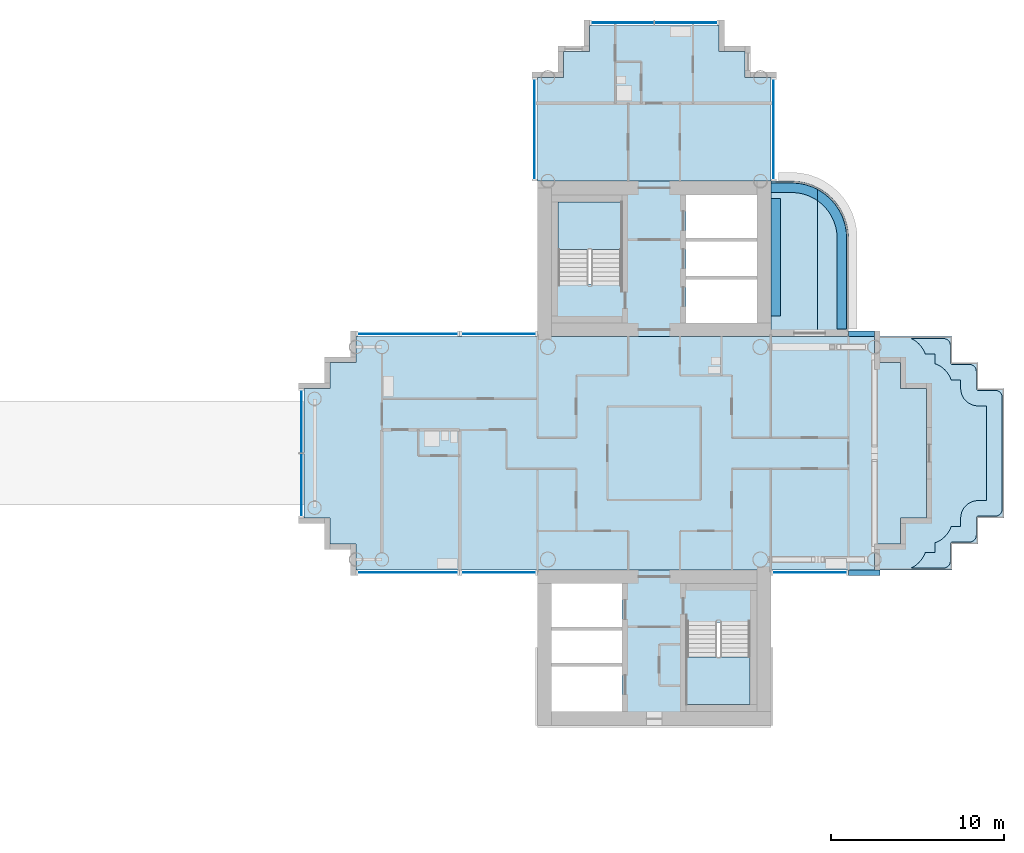
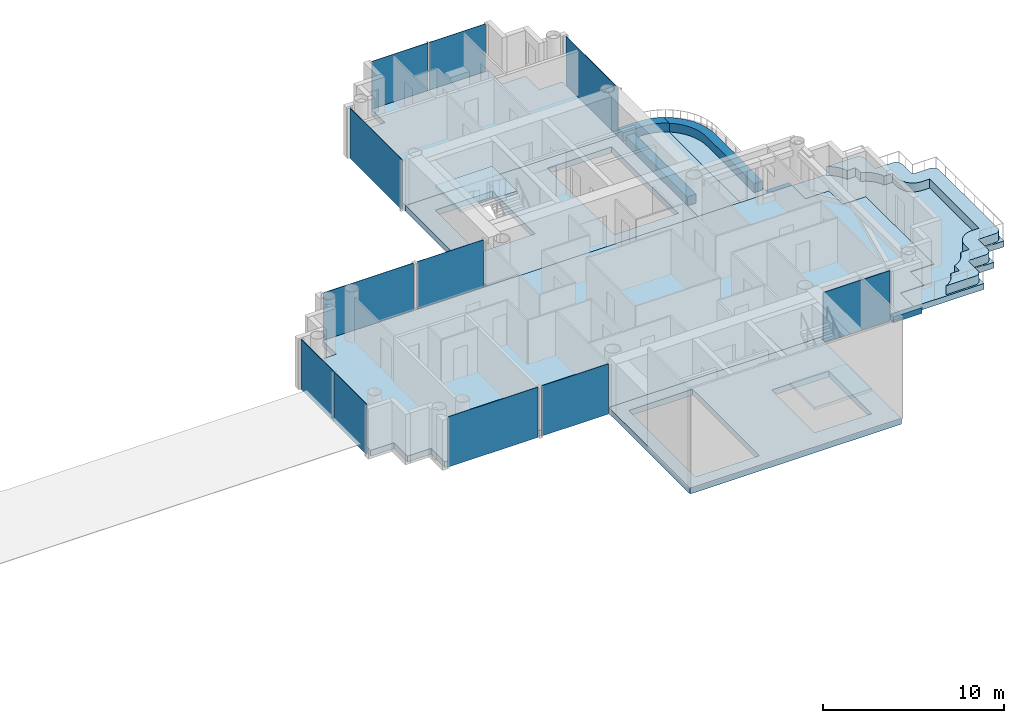
# One storey, part 6 of 19: 15 slabs, 11 plates, 11 elements without a shape of their own.
"""IFC4 building model written with IfcOpenShell, lengths in metres."""

from ifc_helpers import new_model, si_unit, direction, frame, origin, origin_2d, place, context, subcontext, project, spatial, polyline, rectangle, outline, extrude, material, layer, layer_set, type_object, element, aggregate, save


model = new_model("IFC4")

# Units and contexts
model_context = context("Model", 3, precision=1e-05, world=origin(), true_north=direction((0.0, 1.0)))
body_context = subcontext(model_context, "Body", "Model", "MODEL_VIEW")
ifc_project = project(units=[si_unit("LENGTHUNIT", "METRE"), si_unit("AREAUNIT", "SQUARE_METRE"), si_unit("VOLUMEUNIT", "CUBIC_METRE"), si_unit("PLANEANGLEUNIT", "RADIAN"), si_unit("MASSUNIT", "GRAM", prefix="KILO")], contexts=[model_context])

# Site, building, storey
site_placement = place(None, origin())
site = spatial("IfcSite", under=ifc_project, at=site_placement, CompositionType="ELEMENT")
building_placement = place(site_placement, origin())
building = spatial("IfcBuilding", under=site, at=building_placement, Name="Ipe Terrace Towers", CompositionType="ELEMENT")
storey_placement = place(building_placement, frame((0.0, 0.0, 133.699951171875)))
storey = spatial("IfcBuildingStorey", under=building, at=storey_placement, Name="L36", CompositionType="ELEMENT", Elevation=133.699951171875)

# Slabs
ifc_material_1 = material(Name="Concrete C30/37", Category="concrete")
ifc_layer_1 = layer(ifc_material_1, 0.199951171875)
ifc_layer_set_1 = layer_set([ifc_layer_1], Name="BALCONY SLAB 200")
slab_type_1 = type_object("IfcSlabType", Name="BALCONY SLAB 200", PredefinedType="FLOOR", material=ifc_layer_set_1)
slab_1_placement = place(storey_placement, frame((0.0, 0.0, -0.219970703125)))
element("IfcSlab", 1, at=slab_1_placement, inside=storey, type_object=slab_type_1, Name="balcony slab", PredefinedType="FLOOR", context=body_context, shape_type="SweptSolid", body=[
    extrude(outline(polyline([(45.212890625, 15.4990234375), (44.803955078125, 15.637939453125), (44.381103515625, 15.721923828125), (43.949951171875, 15.75), (42.75, 15.75), (42.75, 6.75), (45.449951171875, 6.75), (45.449951171875, 15.382080078125), (45.212890625, 15.4990234375)])), origin(), (0.0, 0.0, 1.0), 0.199951171875),
])
slab_2_placement = place(storey_placement, frame((0.0, 0.0, -0.219970703125)))
element("IfcSlab", 2, at=slab_2_placement, inside=storey, type_object=slab_type_1, Name="balcony slab", PredefinedType="FLOOR", context=body_context, shape_type="SweptSolid", body=[
    extrude(outline(polyline([(47.25, 6.75), (47.25, 12.449951171875), (47.221923828125, 12.881103515625), (47.137939453125, 13.303955078125), (46.9990234375, 13.712890625), (46.80810546875, 14.10009765625), (46.568115234375, 14.458984375), (46.282958984375, 14.782958984375), (45.958984375, 15.068115234375), (45.60009765625, 15.30810546875), (45.449951171875, 15.382080078125), (45.449951171875, 6.75), (47.25, 6.75)])), origin(), (0.0, 0.0, 1.0), 0.199951171875),
])
ifc_material_2 = material(Name="Concrete C30/37", Category="concrete")
ifc_layer_2 = layer(ifc_material_2, 0.39990234375)
ifc_layer_set_2 = layer_set([ifc_layer_2], Name="CORE FLOOR SLAB 400 C30-37")
slab_type_2 = type_object("IfcSlabType", Name="CORE FLOOR SLAB 400 C30-37", PredefinedType="FLOOR", material=ifc_layer_set_2)
slab_3_placement = place(storey_placement, frame((0.0, 0.0, -0.39990234375)))
element("IfcSlab", 3, at=slab_3_placement, inside=storey, type_object=slab_type_2, Name="Core floor T2-C1", PredefinedType="FLOOR", context=body_context, shape_type="SweptSolid", body=[
    extrude(outline(polyline([(29.25, 6.75), (29.25, 15.75), (42.75, 15.75), (42.75, 6.75), (29.25, 6.75)]), holes=[polyline([(41.949951171875, 7.550048828125), (41.949951171875, 14.949951171875), (37.85009765625, 14.949951171875), (37.85009765625, 7.550048828125), (41.949951171875, 7.550048828125)]), polyline([(30.449951171875, 9.800048828125), (34.10009765625, 9.800048828125), (34.10009765625, 14.550048828125), (30.449951171875, 14.550048828125), (30.449951171875, 9.800048828125)])]), origin(), (0.0, 0.0, 1.0), 0.39990234375),
])
slab_4_placement = place(storey_placement, frame((0.0, 0.0, -0.39990234375)))
element("IfcSlab", 4, at=slab_4_placement, inside=storey, type_object=slab_type_2, Name="Core floor T2-C2", PredefinedType="FLOOR", context=body_context, shape_type="SweptSolid", body=[
    extrude(outline(polyline([(29.25, -15.75), (29.25, -6.75), (42.75, -6.75), (42.75, -15.75), (29.25, -15.75)]), holes=[polyline([(34.14990234375, -14.949951171875), (34.14990234375, -7.550048828125), (30.050048828125, -7.550048828125), (30.050048828125, -14.949951171875), (34.14990234375, -14.949951171875)]), polyline([(41.550048828125, -9.800048828125), (37.89990234375, -9.800048828125), (37.89990234375, -14.550048828125), (41.550048828125, -14.550048828125), (41.550048828125, -9.800048828125)])]), origin(), (0.0, 0.0, 1.0), 0.39990234375),
])

# Stair, slab
ifc_material_3 = material(Name="Concrete C30/37", Category="concrete")
stair_type = type_object("IfcStairType", Name="Protected exit stair", PredefinedType="HALF_TURN_STAIR", material=ifc_material_3)
stair_1_placement = place(storey_placement, origin())
stair_1 = element("IfcStair", 5, at=stair_1_placement, inside=storey, type_object=stair_type, Name="L36 Exit stair T2-C1", PredefinedType="HALF_TURN_STAIR")
ifc_material_4 = material(Name="Concrete C30/37", Category="concrete")
ifc_layer_3 = layer(ifc_material_4, 0.199951171875)
ifc_layer_set_3 = layer_set([ifc_layer_3], Name="Exit stair landing 200")
slab_type_3 = type_object("IfcSlabType", Name="Exit stair landing 200", PredefinedType="LANDING", material=ifc_layer_set_3)
slab_5_placement = place(storey_placement, frame((0.0, 0.0, 1.5)))
slab_5 = element("IfcSlab", 6, at=slab_5_placement, type_object=slab_type_3, Name="T2-ST1 landing 1", PredefinedType="LANDING", context=body_context, shape_type="SweptSolid", body=[
    extrude(outline(polyline([(34.10009765625, 11.780029296875), (34.10009765625, 14.550048828125), (30.449951171875, 14.550048828125), (30.449951171875, 11.780029296875), (34.10009765625, 11.780029296875)])), origin(), (0.0, 0.0, 1.0), 0.199951171875),
])
aggregate(stair_1, [slab_5])

stair_2_placement = place(storey_placement, origin())
stair_2 = element("IfcStair", 7, at=stair_2_placement, inside=storey, type_object=stair_type, Name="L36 Exit stair T2-C2", PredefinedType="HALF_TURN_STAIR")
slab_6_placement = place(storey_placement, frame((0.0, 0.0, 1.5)))
slab_6 = element("IfcSlab", 8, at=slab_6_placement, type_object=slab_type_3, Name="T2-ST2 landing 1", PredefinedType="LANDING", context=body_context, shape_type="SweptSolid", body=[
    extrude(outline(polyline([(37.89990234375, -11.780029296875), (37.89990234375, -14.550048828125), (41.550048828125, -14.550048828125), (41.550048828125, -11.780029296875), (37.89990234375, -11.780029296875)])), origin(), (0.0, 0.0, 1.0), 0.199951171875),
])
aggregate(stair_2, [slab_6])

# Slabs
ifc_material_5 = material(Name="Concrete C40/50", Category="concrete")
ifc_layer_4 = layer(ifc_material_5, 0.39990234375)
ifc_layer_set_4 = layer_set([ifc_layer_4], Name="FLAT PLATE SLAB 400 C40-50")
slab_type_4 = type_object("IfcSlabType", Name="FLAT PLATE SLAB 400 C40-50", PredefinedType="FLOOR", material=ifc_layer_set_4)
slab_7_placement = place(storey_placement, frame((0.0, 0.0, -0.39990234375)))
element("IfcSlab", 9, at=slab_7_placement, inside=storey, type_object=slab_type_4, Name="Slab T2-FS-Z31", PredefinedType="FLOOR", context=body_context, shape_type="SweptSolid", body=[
    extrude(outline(polyline([(48.75, 5.25), (50.25, 5.25), (50.25, 3.75), (51.75, 3.75), (51.75, -3.75), (50.25, -3.75), (50.25, -5.25), (48.75, -5.25), (48.75, -6.75), (42.75, -6.75), (29.25, -6.75), (18.75, -6.75), (18.75, -5.25), (17.25, -5.25), (17.25, -3.75), (15.75, -3.75), (15.75, 3.75), (17.25, 3.75), (17.25, 5.25), (18.75, 5.25), (18.75, 6.75), (29.25, 6.75), (42.75, 6.75), (48.75, 6.75), (48.75, 5.25)])), origin(), (0.0, 0.0, 1.0), 0.39990234375),
])
slab_8_placement = place(storey_placement, frame((0.0, 0.0, -0.39990234375)))
element("IfcSlab", 10, at=slab_8_placement, inside=storey, type_object=slab_type_4, Name="Slab T2-FS-Z32", PredefinedType="FLOOR", context=body_context, shape_type="SweptSolid", body=[
    extrude(outline(polyline([(30.75, 21.75), (30.75, 23.25), (32.25, 23.25), (32.25, 24.75), (39.75, 24.75), (39.75, 23.25), (41.25, 23.25), (41.25, 21.75), (42.75, 21.75), (42.75, 15.75), (29.25, 15.75), (29.25, 21.75), (30.75, 21.75)])), origin(), (0.0, 0.0, 1.0), 0.39990234375),
])
slab_9_placement = place(storey_placement, frame((0.0, 0.0, -0.39990234375)))
element("IfcSlab", 11, at=slab_9_placement, inside=storey, type_object=slab_type_4, Name="Slab ledge", PredefinedType="FLOOR", context=body_context, shape_type="SweptSolid", body=[
    extrude(outline(polyline([(47.25, -6.75), (49.070068359375, -6.75), (49.070068359375, -7.070068359375), (47.25, -7.070068359375), (47.25, -6.75)])), origin(), (0.0, 0.0, 1.0), 0.39990234375),
])
slab_10_placement = place(storey_placement, frame((0.0, 0.0, -0.39990234375)))
element("IfcSlab", 12, at=slab_10_placement, inside=storey, type_object=slab_type_4, Name="Slab ledge", PredefinedType="FLOOR", context=body_context, shape_type="SweptSolid", body=[
    extrude(outline(polyline([(48.75, 6.75), (47.25, 6.75), (47.25, 7.070068359375), (48.75, 7.070068359375), (48.75, 6.75)])), origin(), (0.0, 0.0, 1.0), 0.39990234375),
])
ifc_material_6 = material(Name="Concrete C30/37", Category="concrete")
ifc_layer_5 = layer(ifc_material_6, 0.60009765625)
ifc_layer_set_5 = layer_set([ifc_layer_5], Name="PLANTER TROUGH 550 x 600")
slab_type_5 = type_object("IfcSlabType", Name="PLANTER TROUGH 550 x 600", PredefinedType="USERDEFINED", material=ifc_layer_set_5)
slab_11_placement = place(storey_placement, frame((0.0, 0.0, -0.02001953125)))
element("IfcSlab", 13, at=slab_11_placement, inside=storey, type_object=slab_type_5, Name="planter", ObjectType="PLANTER", PredefinedType="USERDEFINED", context=body_context, shape_type="SweptSolid", body=[
    extrude(outline(polyline([(44.633056640625, 14.9990234375), (44.9599609375, 14.887939453125), (45.26904296875, 14.735107421875), (45.449951171875, 14.614013671875), (45.449951171875, 15.259033203125), (45.18701171875, 15.388916015625), (45.154052734375, 15.403076171875), (44.79296875, 15.52490234375), (44.758056640625, 15.534912109375), (44.384033203125, 15.60888671875), (44.347900390625, 15.614013671875), (43.955078125, 15.638916015625), (43.93701171875, 15.639892578125), (42.75, 15.639892578125), (42.75, 15.090087890625), (43.927978515625, 15.090087890625), (44.2939453125, 15.06591796875), (44.633056640625, 14.9990234375)])), origin(), (0.0, 0.0, 1.0), 0.60009765625),
])
slab_12_placement = place(storey_placement, frame((0.0, 0.0, -0.02001953125)))
element("IfcSlab", 14, at=slab_12_placement, inside=storey, type_object=slab_type_5, Name="planter", ObjectType="PLANTER", PredefinedType="USERDEFINED", context=body_context, shape_type="SweptSolid", body=[
    extrude(outline(polyline([(45.555908203125, 14.54296875), (45.81591796875, 14.31591796875), (46.04296875, 14.055908203125), (46.235107421875, 13.76904296875), (46.387939453125, 13.4599609375), (46.4990234375, 13.133056640625), (46.56591796875, 12.7939453125), (46.590087890625, 12.427978515625), (46.590087890625, 7.199951171875), (47.139892578125, 7.199951171875), (47.139892578125, 12.43701171875), (47.138916015625, 12.455078125), (47.114013671875, 12.847900390625), (47.10888671875, 12.884033203125), (47.034912109375, 13.258056640625), (47.02490234375, 13.29296875), (46.903076171875, 13.654052734375), (46.888916015625, 13.68701171875), (46.719970703125, 14.029052734375), (46.701904296875, 14.06005859375), (46.490966796875, 14.376953125), (46.468994140625, 14.405029296875), (46.217041015625, 14.69189453125), (46.19189453125, 14.717041015625), (45.905029296875, 14.968994140625), (45.876953125, 14.990966796875), (45.56005859375, 15.201904296875), (45.529052734375, 15.219970703125), (45.449951171875, 15.259033203125), (45.449951171875, 14.614013671875), (45.555908203125, 14.54296875)])), origin(), (0.0, 0.0, 1.0), 0.60009765625),
])
slab_13_placement = place(storey_placement, frame((0.0, 0.0, -0.02001953125)))
element("IfcSlab", 15, at=slab_13_placement, inside=storey, type_object=slab_type_5, Name="planter", ObjectType="PLANTER", PredefinedType="USERDEFINED", context=body_context, shape_type="SweptSolid", body=[
    extrude(outline(polyline([(42.75, 7.949951171875), (43.300048828125, 7.949951171875), (43.300048828125, 14.75), (42.75, 14.75), (42.75, 7.949951171875)])), origin(), (0.0, 0.0, 1.0), 0.60009765625),
])
ifc_material_7 = material(Name="Concrete C40/50", Category="concrete")
ifc_layer_6 = layer(ifc_material_7, 0.39990234375)
ifc_layer_set_6 = layer_set([ifc_layer_6], Name="TERRACE DECK SLAB 400 C40-50")
slab_type_6 = type_object("IfcSlabType", Name="TERRACE DECK SLAB 400 C40-50", PredefinedType="FLOOR", material=ifc_layer_set_6)
slab_14_placement = place(storey_placement, frame((0.0, 0.0, -0.419921875)))
element("IfcSlab", 16, at=slab_14_placement, inside=storey, type_object=slab_type_6, Name="Slab T2-TD-L36-1", PredefinedType="FLOOR", context=body_context, shape_type="SweptSolid", body=[
    extrude(outline(polyline([(48.7548828125, -6.7451171875), (48.7548828125, -5.2548828125), (50.2548828125, -5.2548828125), (50.2548828125, -3.7548828125), (51.7548828125, -3.7548828125), (51.7548828125, 3.7548828125), (50.2548828125, 3.7548828125), (50.2548828125, 5.2548828125), (48.7548828125, 5.2548828125), (48.7548828125, 6.7451171875), (53.2451171875, 6.7451171875), (53.2451171875, 5.2451171875), (54.7451171875, 5.2451171875), (54.7451171875, 3.7451171875), (56.2451171875, 3.7451171875), (56.2451171875, -3.7451171875), (54.7451171875, -3.7451171875), (54.7451171875, -5.2451171875), (53.2451171875, -5.2451171875), (53.2451171875, -6.7451171875), (48.7548828125, -6.7451171875)])), origin(), (0.0, 0.0, 1.0), 0.39990234375),
])
ifc_material_8 = material(Name="Concrete C30/37", Category="concrete")
ifc_layer_7 = layer(ifc_material_8, 0.60009765625)
ifc_layer_set_7 = layer_set([ifc_layer_7], Name="TERRACE PLANTING BED 900 x 600")
slab_type_7 = type_object("IfcSlabType", Name="TERRACE PLANTING BED 900 x 600", PredefinedType="USERDEFINED", material=ifc_layer_set_7)
slab_15_placement = place(storey_placement, frame((0.0, 0.0, -0.02001953125)))
element("IfcSlab", 17, at=slab_15_placement, inside=storey, type_object=slab_type_7, Name="planter", ObjectType="PLANTER", PredefinedType="USERDEFINED", context=body_context, shape_type="SweptSolid", body=[
    extrude(outline(polyline([(52.239990234375, -5.739990234375), (52.22998046875, -5.739990234375), (51.68701171875, -5.739990234375), (51.654052734375, -5.83203125), (51.591064453125, -5.967041015625), (51.513916015625, -6.093994140625), (51.425048828125, -6.214111328125), (51.324951171875, -6.324951171875), (51.214111328125, -6.425048828125), (51.093994140625, -6.513916015625), (50.967041015625, -6.591064453125), (50.862060546875, -6.639892578125), (52.739990234375, -6.639892578125), (52.779052734375, -6.637939453125), (52.818115234375, -6.632080078125), (52.85595703125, -6.623046875), (52.89306640625, -6.610107421875), (52.928955078125, -6.593017578125), (52.9619140625, -6.572998046875), (52.993896484375, -6.549072265625), (53.02294921875, -6.52294921875), (53.049072265625, -6.493896484375), (53.072998046875, -6.4619140625), (53.093017578125, -6.428955078125), (53.110107421875, -6.39306640625), (53.123046875, -6.35595703125), (53.132080078125, -6.318115234375), (53.137939453125, -6.279052734375), (53.139892578125, -6.239990234375), (53.139892578125, -5.26611328125), (53.139892578125, -5.256103515625), (53.14111328125, -5.2490234375), (53.14208984375, -5.23388671875), (53.14404296875, -5.222900390625), (53.14697265625, -5.212890625), (53.15087890625, -5.202880859375), (53.156005859375, -5.194091796875), (53.162109375, -5.18505859375), (53.1689453125, -5.177001953125), (53.177001953125, -5.1689453125), (53.18505859375, -5.162109375), (53.194091796875, -5.156005859375), (53.202880859375, -5.15087890625), (53.212890625, -5.14697265625), (53.222900390625, -5.14404296875), (53.23388671875, -5.14208984375), (53.2490234375, -5.14111328125), (53.256103515625, -5.139892578125), (53.26611328125, -5.139892578125), (54.239990234375, -5.139892578125), (54.279052734375, -5.137939453125), (54.318115234375, -5.132080078125), (54.35595703125, -5.123046875), (54.39306640625, -5.110107421875), (54.428955078125, -5.093017578125), (54.4619140625, -5.072998046875), (54.493896484375, -5.049072265625), (54.52294921875, -5.02294921875), (54.549072265625, -4.993896484375), (54.572998046875, -4.9619140625), (54.593017578125, -4.928955078125), (54.610107421875, -4.89306640625), (54.623046875, -4.85595703125), (54.632080078125, -4.818115234375), (54.637939453125, -4.779052734375), (54.639892578125, -4.739990234375), (54.639892578125, -3.76611328125), (54.639892578125, -3.756103515625), (54.64111328125, -3.7490234375), (54.64208984375, -3.73388671875), (54.64404296875, -3.722900390625), (54.64697265625, -3.712890625), (54.65087890625, -3.702880859375), (54.656005859375, -3.694091796875), (54.662109375, -3.68505859375), (54.6689453125, -3.677001953125), (54.677001953125, -3.6689453125), (54.68505859375, -3.662109375), (54.694091796875, -3.656005859375), (54.702880859375, -3.65087890625), (54.712890625, -3.64697265625), (54.722900390625, -3.64404296875), (54.73388671875, -3.64208984375), (54.7490234375, -3.64111328125), (54.756103515625, -3.639892578125), (54.76611328125, -3.639892578125), (55.739990234375, -3.639892578125), (55.779052734375, -3.637939453125), (55.818115234375, -3.632080078125), (55.85595703125, -3.623046875), (55.89306640625, -3.610107421875), (55.928955078125, -3.593017578125), (55.9619140625, -3.572998046875), (55.993896484375, -3.549072265625), (56.02294921875, -3.52294921875), (56.049072265625, -3.493896484375), (56.072998046875, -3.4619140625), (56.093017578125, -3.428955078125), (56.110107421875, -3.39306640625), (56.123046875, -3.35595703125), (56.132080078125, -3.318115234375), (56.137939453125, -3.279052734375), (56.139892578125, -3.239990234375), (56.139892578125, 3.239990234375), (56.137939453125, 3.279052734375), (56.132080078125, 3.318115234375), (56.123046875, 3.35595703125), (56.110107421875, 3.39306640625), (56.093017578125, 3.428955078125), (56.072998046875, 3.4619140625), (56.049072265625, 3.493896484375), (56.02294921875, 3.52294921875), (55.993896484375, 3.549072265625), (55.9619140625, 3.572998046875), (55.928955078125, 3.593017578125), (55.89306640625, 3.610107421875), (55.85595703125, 3.623046875), (55.818115234375, 3.632080078125), (55.779052734375, 3.637939453125), (55.739990234375, 3.639892578125), (54.76611328125, 3.639892578125), (54.756103515625, 3.639892578125), (54.7490234375, 3.64111328125), (54.73388671875, 3.64208984375), (54.722900390625, 3.64404296875), (54.712890625, 3.64697265625), (54.702880859375, 3.65087890625), (54.694091796875, 3.656005859375), (54.68505859375, 3.662109375), (54.677001953125, 3.6689453125), (54.6689453125, 3.677001953125), (54.662109375, 3.68505859375), (54.656005859375, 3.694091796875), (54.65087890625, 3.702880859375), (54.64697265625, 3.712890625), (54.64404296875, 3.722900390625), (54.64208984375, 3.73388671875), (54.64111328125, 3.7490234375), (54.639892578125, 3.756103515625), (54.639892578125, 3.76611328125), (54.639892578125, 4.739990234375), (54.637939453125, 4.779052734375), (54.632080078125, 4.818115234375), (54.623046875, 4.85595703125), (54.610107421875, 4.89306640625), (54.593017578125, 4.928955078125), (54.572998046875, 4.9619140625), (54.549072265625, 4.993896484375), (54.52294921875, 5.02294921875), (54.493896484375, 5.049072265625), (54.4619140625, 5.072998046875), (54.428955078125, 5.093017578125), (54.39306640625, 5.110107421875), (54.35595703125, 5.123046875), (54.318115234375, 5.132080078125), (54.279052734375, 5.137939453125), (54.239990234375, 5.139892578125), (53.26611328125, 5.139892578125), (53.256103515625, 5.139892578125), (53.2490234375, 5.14111328125), (53.23388671875, 5.14208984375), (53.222900390625, 5.14404296875), (53.212890625, 5.14697265625), (53.202880859375, 5.15087890625), (53.194091796875, 5.156005859375), (53.18505859375, 5.162109375), (53.177001953125, 5.1689453125), (53.1689453125, 5.177001953125), (53.162109375, 5.18505859375), (53.156005859375, 5.194091796875), (53.15087890625, 5.202880859375), (53.14697265625, 5.212890625), (53.14404296875, 5.222900390625), (53.14208984375, 5.23388671875), (53.14111328125, 5.2490234375), (53.139892578125, 5.256103515625), (53.139892578125, 5.26611328125), (53.139892578125, 6.239990234375), (53.137939453125, 6.279052734375), (53.132080078125, 6.318115234375), (53.123046875, 6.35595703125), (53.110107421875, 6.39306640625), (53.093017578125, 6.428955078125), (53.072998046875, 6.4619140625), (53.049072265625, 6.493896484375), (53.02294921875, 6.52294921875), (52.993896484375, 6.549072265625), (52.9619140625, 6.572998046875), (52.928955078125, 6.593017578125), (52.89306640625, 6.610107421875), (52.85595703125, 6.623046875), (52.818115234375, 6.632080078125), (52.779052734375, 6.637939453125), (52.739990234375, 6.639892578125), (50.862060546875, 6.639892578125), (50.967041015625, 6.591064453125), (51.093994140625, 6.513916015625), (51.214111328125, 6.425048828125), (51.324951171875, 6.324951171875), (51.425048828125, 6.214111328125), (51.513916015625, 6.093994140625), (51.591064453125, 5.967041015625), (51.654052734375, 5.83203125), (51.68701171875, 5.739990234375), (52.22998046875, 5.739990234375), (52.239990234375, 5.739990234375), (52.239990234375, 5.72998046875), (52.239990234375, 5.2490234375), (52.239990234375, 5.22900390625), (52.242919921875, 5.18603515625), (52.33203125, 5.154052734375), (52.467041015625, 5.091064453125), (52.593994140625, 5.013916015625), (52.714111328125, 4.925048828125), (52.824951171875, 4.824951171875), (52.925048828125, 4.714111328125), (53.013916015625, 4.593994140625), (53.091064453125, 4.467041015625), (53.154052734375, 4.33203125), (53.18603515625, 4.242919921875), (53.22900390625, 4.239990234375), (53.2490234375, 4.239990234375), (53.72998046875, 4.239990234375), (53.739990234375, 4.239990234375), (53.739990234375, 4.22998046875), (53.739990234375, 3.7490234375), (53.739990234375, 3.72900390625), (53.742919921875, 3.6708984375), (53.7470703125, 3.632080078125), (53.756103515625, 3.572021484375), (53.763916015625, 3.533935546875), (53.778076171875, 3.47607421875), (53.7900390625, 3.43798828125), (53.81005859375, 3.382080078125), (53.824951171875, 3.345947265625), (53.85009765625, 3.291015625), (53.868896484375, 3.257080078125), (53.89990234375, 3.205078125), (53.9208984375, 3.173095703125), (53.95703125, 3.125), (53.98193359375, 3.093994140625), (54.02197265625, 3.050048828125), (54.050048828125, 3.02197265625), (54.093994140625, 2.98193359375), (54.125, 2.95703125), (54.173095703125, 2.9208984375), (54.205078125, 2.89990234375), (54.257080078125, 2.868896484375), (54.291015625, 2.85009765625), (54.345947265625, 2.824951171875), (54.382080078125, 2.81005859375), (54.43798828125, 2.7900390625), (54.47607421875, 2.778076171875), (54.533935546875, 2.763916015625), (54.572021484375, 2.756103515625), (54.632080078125, 2.7470703125), (54.6708984375, 2.742919921875), (54.72900390625, 2.739990234375), (54.7490234375, 2.739990234375), (55.22998046875, 2.739990234375), (55.239990234375, 2.739990234375), (55.239990234375, 2.72998046875), (55.239990234375, -2.72998046875), (55.239990234375, -2.739990234375), (55.22998046875, -2.739990234375), (54.7490234375, -2.739990234375), (54.72900390625, -2.739990234375), (54.6708984375, -2.742919921875), (54.632080078125, -2.7470703125), (54.572021484375, -2.756103515625), (54.533935546875, -2.763916015625), (54.47607421875, -2.778076171875), (54.43798828125, -2.7900390625), (54.382080078125, -2.81005859375), (54.345947265625, -2.824951171875), (54.291015625, -2.85009765625), (54.257080078125, -2.868896484375), (54.205078125, -2.89990234375), (54.173095703125, -2.9208984375), (54.125, -2.95703125), (54.093994140625, -2.98193359375), (54.050048828125, -3.02197265625), (54.02197265625, -3.050048828125), (53.98193359375, -3.093994140625), (53.95703125, -3.125), (53.9208984375, -3.173095703125), (53.89990234375, -3.205078125), (53.868896484375, -3.257080078125), (53.85009765625, -3.291015625), (53.824951171875, -3.345947265625), (53.81005859375, -3.382080078125), (53.7900390625, -3.43798828125), (53.778076171875, -3.47607421875), (53.763916015625, -3.533935546875), (53.756103515625, -3.572021484375), (53.7470703125, -3.632080078125), (53.742919921875, -3.6708984375), (53.739990234375, -3.72900390625), (53.739990234375, -3.7490234375), (53.739990234375, -4.22998046875), (53.739990234375, -4.239990234375), (53.72998046875, -4.239990234375), (53.2490234375, -4.239990234375), (53.22900390625, -4.239990234375), (53.18603515625, -4.242919921875), (53.154052734375, -4.33203125), (53.091064453125, -4.467041015625), (53.013916015625, -4.593994140625), (52.925048828125, -4.714111328125), (52.824951171875, -4.824951171875), (52.714111328125, -4.925048828125), (52.593994140625, -5.013916015625), (52.467041015625, -5.091064453125), (52.33203125, -5.154052734375), (52.242919921875, -5.18603515625), (52.239990234375, -5.22900390625), (52.239990234375, -5.2490234375), (52.239990234375, -5.72998046875), (52.239990234375, -5.739990234375)])), origin(), (0.0, 0.0, 1.0), 0.60009765625),
])

# Curtain wall, plate
ifc_material_9 = material(Name="Aluminium alloy 6063-T6", Category="aluminium")
ifc_layer_8 = layer(ifc_material_9, 0.320068359375)
ifc_layer_set_8 = layer_set([ifc_layer_8], Name="TOWER UNITISED CURTAIN WALL")
curtain_wall_type = type_object("IfcCurtainWallType", Name="TOWER UNITISED CURTAIN WALL", PredefinedType="NOTDEFINED", material=ifc_layer_set_8)
curtain_wall_1_placement = place(storey_placement, origin())
curtain_wall_1 = element("IfcCurtainWall", 18, at=curtain_wall_1_placement, inside=storey, type_object=curtain_wall_type, Name="T2-CW-L36-16b curtain wall", PredefinedType="NOTDEFINED")
ifc_material_10 = material(Name="Glass, clear laminated", Category="glass")
ifc_layer_9 = layer(ifc_material_10, 0.031982421875)
ifc_layer_set_9 = layer_set([ifc_layer_9], Name="TOWER UNITISED GLASS PANEL 32")
plate_type_1 = type_object("IfcPlateType", Name="TOWER UNITISED GLASS PANEL 32", PredefinedType="CURTAIN_PANEL", material=ifc_layer_set_9)
plate_1_placement = place(storey_placement, frame((42.909912109375, 18.75048828125, -0.2998046875), z_axis=(0.0, 0.0, 1.0), x_axis=(0.0, 1.0, 0.0)))
plate_1 = element("IfcPlate", 19, at=plate_1_placement, type_object=plate_type_1, Name="T2-CW-L36-16b panel 1", PredefinedType="CURTAIN_PANEL", context=body_context, shape_type="SweptSolid", body=[
    extrude(rectangle(XDim=5.759033203125, YDim=0.031982421875, at=origin_2d()), origin(), (0.0, 0.0, 1.0), 3.39990234375),
])
aggregate(curtain_wall_1, [plate_1])

# Curtain wall, plates
curtain_wall_2_placement = place(storey_placement, origin())
curtain_wall_2 = element("IfcCurtainWall", 20, at=curtain_wall_2_placement, inside=storey, type_object=curtain_wall_type, Name="T2-CW-L36-21a curtain wall", PredefinedType="NOTDEFINED")
plate_2_placement = place(storey_placement, frame((37.831298828125, 24.909912109375, -0.2998046875), z_axis=(0.0, 0.0, 1.0), x_axis=(-1.0, 0.0, 0.0)))
plate_2 = element("IfcPlate", 21, at=plate_2_placement, type_object=plate_type_1, Name="T2-CW-L36-21a panel 1", PredefinedType="CURTAIN_PANEL", context=body_context, shape_type="SweptSolid", body=[
    extrude(rectangle(XDim=3.597412109375, YDim=0.031982421875, at=origin_2d()), origin(), (0.0, 0.0, 1.0), 3.39990234375),
])
plate_3_placement = place(storey_placement, frame((34.168701171875, 24.909912109375, -0.2998046875), z_axis=(0.0, 0.0, 1.0), x_axis=(-1.0, 0.0, 0.0)))
plate_3 = element("IfcPlate", 22, at=plate_3_placement, type_object=plate_type_1, Name="T2-CW-L36-21a panel 2", PredefinedType="CURTAIN_PANEL", context=body_context, shape_type="SweptSolid", body=[
    extrude(rectangle(XDim=3.597412109375, YDim=0.031982421875, at=origin_2d()), origin(), (0.0, 0.0, 1.0), 3.39990234375),
])
aggregate(curtain_wall_2, [plate_2, plate_3])

# Curtain wall, plate
curtain_wall_3_placement = place(storey_placement, origin())
curtain_wall_3 = element("IfcCurtainWall", 23, at=curtain_wall_3_placement, inside=storey, type_object=curtain_wall_type, Name="T2-CW-L36-26a curtain wall", PredefinedType="NOTDEFINED")
plate_4_placement = place(storey_placement, frame((29.090087890625, 18.75048828125, -0.2998046875), z_axis=(0.0, 0.0, 1.0), x_axis=(0.0, -1.0, 0.0)))
plate_4 = element("IfcPlate", 24, at=plate_4_placement, type_object=plate_type_1, Name="T2-CW-L36-26a panel 1", PredefinedType="CURTAIN_PANEL", context=body_context, shape_type="SweptSolid", body=[
    extrude(rectangle(XDim=5.759033203125, YDim=0.031982421875, at=origin_2d()), origin(), (0.0, 0.0, 1.0), 3.39990234375),
])
aggregate(curtain_wall_3, [plate_4])

curtain_wall_4_placement = place(storey_placement, origin())
curtain_wall_4 = element("IfcCurtainWall", 25, at=curtain_wall_4_placement, inside=storey, type_object=curtain_wall_type, Name="T2-CW-L36-28a curtain wall", PredefinedType="NOTDEFINED")
plate_5_placement = place(storey_placement, frame((27.0, 6.909912109375, -0.2998046875), z_axis=(0.0, 0.0, 1.0), x_axis=(-1.0, 0.0, 0.0)))
plate_5 = element("IfcPlate", 26, at=plate_5_placement, type_object=plate_type_1, Name="T2-CW-L36-28a panel 1", PredefinedType="CURTAIN_PANEL", context=body_context, shape_type="SweptSolid", body=[
    extrude(rectangle(XDim=4.260009765625, YDim=0.031982421875, at=origin_2d()), origin(), (0.0, 0.0, 1.0), 3.39990234375),
])
aggregate(curtain_wall_4, [plate_5])

curtain_wall_5_placement = place(storey_placement, origin())
curtain_wall_5 = element("IfcCurtainWall", 27, at=curtain_wall_5_placement, inside=storey, type_object=curtain_wall_type, Name="T2-CW-L36-29a curtain wall", PredefinedType="NOTDEFINED")
plate_6_placement = place(storey_placement, frame((21.75, 6.909912109375, -0.2998046875), z_axis=(0.0, 0.0, 1.0), x_axis=(-1.0, 0.0, 0.0)))
plate_6 = element("IfcPlate", 28, at=plate_6_placement, type_object=plate_type_1, Name="T2-CW-L36-29a panel 1", PredefinedType="CURTAIN_PANEL", context=body_context, shape_type="SweptSolid", body=[
    extrude(rectangle(XDim=5.760009765625, YDim=0.031982421875, at=origin_2d()), origin(), (0.0, 0.0, 1.0), 3.39990234375),
])
aggregate(curtain_wall_5, [plate_6])

# Curtain wall, plates
curtain_wall_6_placement = place(storey_placement, origin())
curtain_wall_6 = element("IfcCurtainWall", 29, at=curtain_wall_6_placement, inside=storey, type_object=curtain_wall_type, Name="T2-CW-L36-34a curtain wall", PredefinedType="NOTDEFINED")
plate_7_placement = place(storey_placement, frame((15.590087890625, 1.831298828125, -0.2998046875), z_axis=(0.0, 0.0, 1.0), x_axis=(0.0, -1.0, 0.0)))
plate_7 = element("IfcPlate", 30, at=plate_7_placement, type_object=plate_type_1, Name="T2-CW-L36-34a panel 1", PredefinedType="CURTAIN_PANEL", context=body_context, shape_type="SweptSolid", body=[
    extrude(rectangle(XDim=3.597412109375, YDim=0.031982421875, at=origin_2d()), origin(), (0.0, 0.0, 1.0), 3.39990234375),
])
plate_8_placement = place(storey_placement, frame((15.590087890625, -1.831298828125, -0.2998046875), z_axis=(0.0, 0.0, 1.0), x_axis=(0.0, -1.0, 0.0)))
plate_8 = element("IfcPlate", 31, at=plate_8_placement, type_object=plate_type_1, Name="T2-CW-L36-34a panel 2", PredefinedType="CURTAIN_PANEL", context=body_context, shape_type="SweptSolid", body=[
    extrude(rectangle(XDim=3.597412109375, YDim=0.031982421875, at=origin_2d()), origin(), (0.0, 0.0, 1.0), 3.39990234375),
])
aggregate(curtain_wall_6, [plate_7, plate_8])

# Curtain wall, plate
curtain_wall_7_placement = place(storey_placement, origin())
curtain_wall_7 = element("IfcCurtainWall", 32, at=curtain_wall_7_placement, inside=storey, type_object=curtain_wall_type, Name="T2-CW-L36-39a curtain wall", PredefinedType="NOTDEFINED")
plate_9_placement = place(storey_placement, frame((21.75, -6.909912109375, -0.2998046875), z_axis=(0.0, 0.0, 1.0), x_axis=(1.0, 0.0, 0.0)))
plate_9 = element("IfcPlate", 33, at=plate_9_placement, type_object=plate_type_1, Name="T2-CW-L36-39a panel 1", PredefinedType="CURTAIN_PANEL", context=body_context, shape_type="SweptSolid", body=[
    extrude(rectangle(XDim=5.760009765625, YDim=0.031982421875, at=origin_2d()), origin(), (0.0, 0.0, 1.0), 3.39990234375),
])
aggregate(curtain_wall_7, [plate_9])

curtain_wall_8_placement = place(storey_placement, origin())
curtain_wall_8 = element("IfcCurtainWall", 34, at=curtain_wall_8_placement, inside=storey, type_object=curtain_wall_type, Name="T2-CW-L36-40a curtain wall", PredefinedType="NOTDEFINED")
plate_10_placement = place(storey_placement, frame((27.0, -6.909912109375, -0.2998046875), z_axis=(0.0, 0.0, 1.0), x_axis=(1.0, 0.0, 0.0)))
plate_10 = element("IfcPlate", 35, at=plate_10_placement, type_object=plate_type_1, Name="T2-CW-L36-40a panel 1", PredefinedType="CURTAIN_PANEL", context=body_context, shape_type="SweptSolid", body=[
    extrude(rectangle(XDim=4.260009765625, YDim=0.031982421875, at=origin_2d()), origin(), (0.0, 0.0, 1.0), 3.39990234375),
])
aggregate(curtain_wall_8, [plate_10])

curtain_wall_9_placement = place(storey_placement, origin())
curtain_wall_9 = element("IfcCurtainWall", 36, at=curtain_wall_9_placement, inside=storey, type_object=curtain_wall_type, Name="T2-CW-L36-02a curtain wall", PredefinedType="NOTDEFINED")
ifc_material_11 = material(Name="Insulated spandrel panel, stone-effect cladding", Category="masonry")
ifc_layer_10 = layer(ifc_material_11, 0.031982421875)
ifc_layer_set_10 = layer_set([ifc_layer_10], Name="TOWER UNITISED SPANDREL PANEL 32")
plate_type_2 = type_object("IfcPlateType", Name="TOWER UNITISED SPANDREL PANEL 32", PredefinedType="CURTAIN_PANEL", material=ifc_layer_set_10)
plate_11_placement = place(storey_placement, frame((45.0, -6.909912109375, -0.2998046875), z_axis=(0.0, 0.0, 1.0), x_axis=(1.0, 0.0, 0.0)))
plate_11 = element("IfcPlate", 37, at=plate_11_placement, type_object=plate_type_2, Name="T2-CW-L36-02a panel 1", PredefinedType="CURTAIN_PANEL", context=body_context, shape_type="SweptSolid", body=[
    extrude(rectangle(XDim=4.260009765625, YDim=0.031982421875, at=origin_2d()), origin(), (0.0, 0.0, 1.0), 3.39990234375),
])
aggregate(curtain_wall_9, [plate_11])

save(model, "model.ifc")
